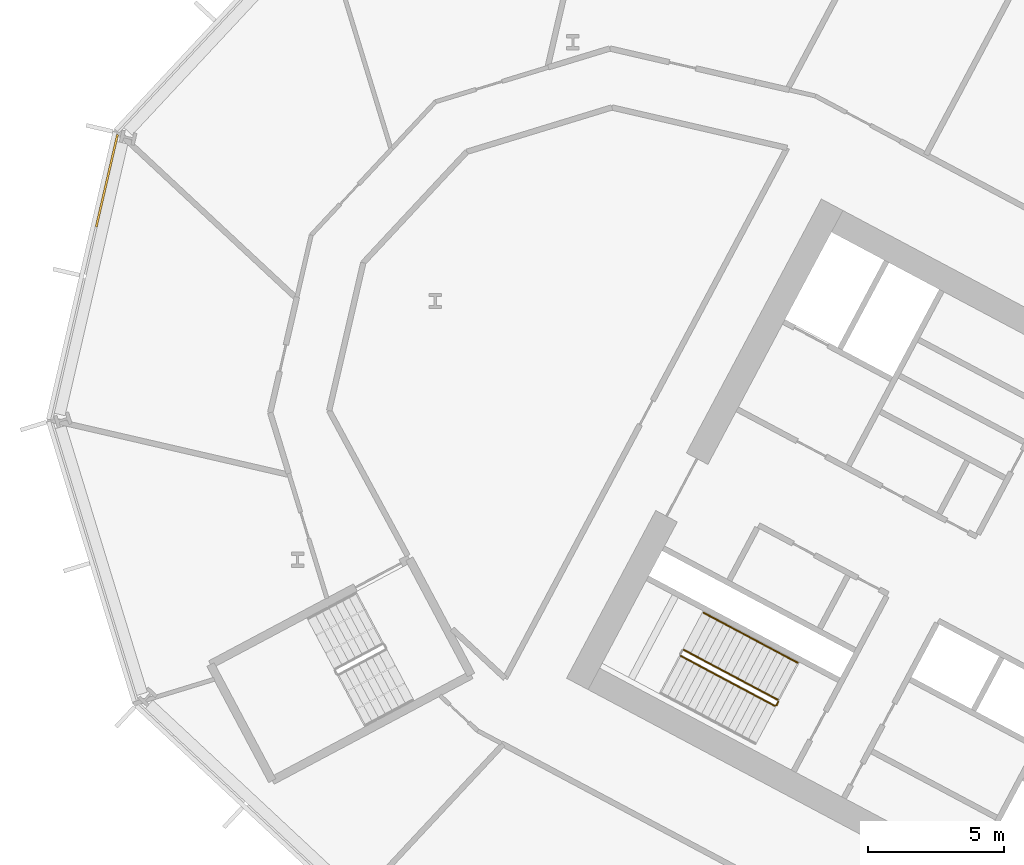
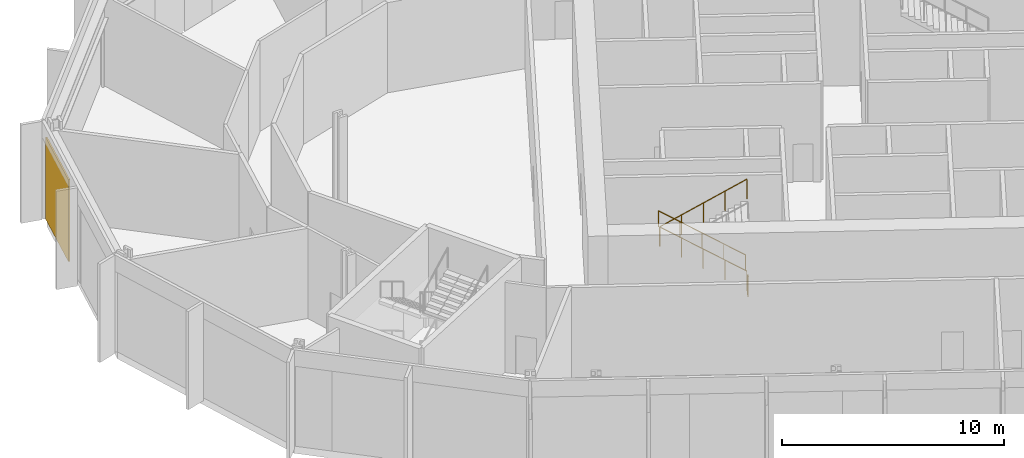
# One storey, part 23 of 32: 4 railings, 1 covering, 1 element without a shape of its own.
"""IFC4 building model written with IfcOpenShell, lengths in metres."""

from ifc_helpers import new_model, si_unit, direction, frame, origin, origin_2d, place, context, subcontext, project, spatial, polyline, rectangle, outline, extrude, material, layer, layer_set, type_object, element, aggregate, save


model = new_model("IFC4")

# Units and contexts
model_context = context("Model", 3, precision=1e-05, world=origin(), true_north=direction((0.0, 1.0)))
body_context = subcontext(model_context, "Body", "Model", "MODEL_VIEW")
ifc_project = project(units=[si_unit("LENGTHUNIT", "METRE"), si_unit("AREAUNIT", "SQUARE_METRE"), si_unit("VOLUMEUNIT", "CUBIC_METRE"), si_unit("PLANEANGLEUNIT", "RADIAN"), si_unit("MASSUNIT", "GRAM", prefix="KILO")], contexts=[model_context])

# Site, building, storey
site_placement = place(None, origin())
site = spatial("IfcSite", under=ifc_project, at=site_placement, CompositionType="ELEMENT")
building_placement = place(site_placement, origin())
building = spatial("IfcBuilding", under=site, at=building_placement, Name="Cormorant Relay Tower", CompositionType="ELEMENT")
storey_placement = place(building_placement, frame((0.0, 0.0, 17.60009765625)))
storey = spatial("IfcBuildingStorey", under=building, at=storey_placement, Name="L03", CompositionType="ELEMENT", Elevation=17.60009765625)

# Curtain wall, covering
ifc_material_1 = material(Name="Aluminium 6063-T6 anodised bronze", Category="aluminium")
ifc_layer_1 = layer(ifc_material_1, 0.235107421875)
ifc_layer_set_1 = layer_set([ifc_layer_1], Name="CW6 data hall curtain wall with mineral wool panels")
curtain_wall_type = type_object("IfcCurtainWallType", Name="CW6 data hall curtain wall with mineral wool panels", PredefinedType="NOTDEFINED", material=ifc_layer_set_1)
curtain_wall_placement = place(storey_placement, origin())
curtain_wall = element("IfcCurtainWall", 1, at=curtain_wall_placement, inside=storey, type_object=curtain_wall_type, Name="CW6 curtain wall 11", PredefinedType="NOTDEFINED")
ifc_material_2 = material(Name="Mineral wool cored anodised bronze aluminium cassette panel", Category="aluminium")
ifc_layer_2 = layer(ifc_material_2, 0.074951171875)
ifc_layer_set_2 = layer_set([ifc_layer_2], Name="CW6 mineral wool cassette panel 75")
covering_type = type_object("IfcCoveringType", Name="CW6 mineral wool cassette panel 75", PredefinedType="CLADDING", material=ifc_layer_set_2)
covering_placement = place(storey_placement, frame((-58.719970703125, 29.222412109375, 0.0), z_axis=(0.0, 0.0, 1.0), x_axis=(-0.224951054344, -0.974370064785, 0.0)))
covering = element("IfcCovering", 2, at=covering_placement, type_object=covering_type, Name="CW6 panel S00", PredefinedType="CLADDING", context=body_context, shape_type="SweptSolid", body=[
    extrude(rectangle(XDim=3.485107421875, YDim=0.074951171875, at=origin_2d()), origin(), (0.0, 0.0, 1.0), 4.5),
])
aggregate(curtain_wall, [covering])

# Railings
ifc_material_3 = material(Name="Steel ASTM A572 Grade 50 (Fy 345 MPa)", Category="steel")
railing_type_1 = type_object("IfcRailingType", Name="Stair guard 1100", PredefinedType="GUARDRAIL", material=ifc_material_3)
railing_1_placement = place(storey_placement, frame((-33.9921875, 10.08935546875, 0.179931640625)))
element("IfcRailing", 3, at=railing_1_placement, inside=storey, type_object=railing_type_1, Name="L03 A2 stair guard 1", PredefinedType="GUARDRAIL", context=body_context, shape_type="SweptSolid", body=[
    extrude(outline(polyline([(0.022216796875, 0.00927734375), (0.00927734375, 0.022216796875), (-0.00927734375, 0.022216796875), (-0.022216796875, 0.00927734375), (-0.022216796875, -0.00927734375), (-0.00927734375, -0.022216796875), (0.00927734375, -0.022216796875), (0.022216796875, -0.00927734375), (0.022216796875, 0.00927734375)])), frame((0.0, 0.0, 1.076171875), z_axis=(-0.74271721126, 0.394907409077, 0.540758062681), x_axis=(-0.469469396681, -0.882948744594, 0.0)), (0.0, 0.0, 1.0), 4.66015625),
    extrude(outline(polyline([(0.019287109375, 0.008056640625), (0.008056640625, 0.019287109375), (-0.008056640625, 0.019287109375), (-0.019287109375, 0.008056640625), (-0.019287109375, -0.008056640625), (-0.008056640625, -0.019287109375), (0.008056640625, -0.019287109375), (0.019287109375, -0.008056640625), (0.019287109375, 0.008056640625)])), origin(), (0.0, 0.0, 1.0), 1.052001953125),
    extrude(outline(polyline([(0.019287109375, 0.008056640625), (0.008056640625, 0.019287109375), (-0.008056640625, 0.019287109375), (-0.019287109375, 0.008056640625), (-0.019287109375, -0.008056640625), (-0.008056640625, -0.019287109375), (0.008056640625, -0.019287109375), (0.019287109375, -0.008056640625), (0.019287109375, 0.008056640625)])), frame((-0.865234375, 0.4599609375, 0.6298828125)), (0.0, 0.0, 1.0), 1.052001953125),
    extrude(outline(polyline([(0.019287109375, 0.008056640625), (0.008056640625, 0.019287109375), (-0.008056640625, 0.019287109375), (-0.019287109375, 0.008056640625), (-0.019287109375, -0.008056640625), (-0.008056640625, -0.019287109375), (0.008056640625, -0.019287109375), (0.019287109375, -0.008056640625), (0.019287109375, 0.008056640625)])), frame((-1.73046875, 0.920166015625, 1.260009765625)), (0.0, 0.0, 1.0), 1.052001953125),
    extrude(outline(polyline([(0.019287109375, 0.008056640625), (0.008056640625, 0.019287109375), (-0.008056640625, 0.019287109375), (-0.019287109375, 0.008056640625), (-0.019287109375, -0.008056640625), (-0.008056640625, -0.019287109375), (0.008056640625, -0.019287109375), (0.019287109375, -0.008056640625), (0.019287109375, 0.008056640625)])), frame((-2.595947265625, 1.38037109375, 1.89013671875)), (0.0, 0.0, 1.0), 1.052001953125),
    extrude(outline(polyline([(0.019287109375, 0.008056640625), (0.008056640625, 0.019287109375), (-0.008056640625, 0.019287109375), (-0.019287109375, 0.008056640625), (-0.019287109375, -0.008056640625), (-0.008056640625, -0.019287109375), (0.008056640625, -0.019287109375), (0.019287109375, -0.008056640625), (0.019287109375, 0.008056640625)])), frame((-3.461181640625, 1.84033203125, 2.52001953125)), (0.0, 0.0, 1.0), 1.052001953125),
])
railing_2_placement = place(storey_placement, frame((-37.57080078125, 11.708984375, 2.8798828125)))
element("IfcRailing", 4, at=railing_2_placement, inside=storey, type_object=railing_type_1, Name="L03 A2 stair guard 3", PredefinedType="GUARDRAIL", context=body_context, shape_type="SweptSolid", body=[
    extrude(outline(polyline([(0.022216796875, 0.00927734375), (0.00927734375, 0.022216796875), (-0.00927734375, 0.022216796875), (-0.022216796875, 0.00927734375), (-0.022216796875, -0.00927734375), (-0.00927734375, -0.022216796875), (0.00927734375, -0.022216796875), (0.022216796875, -0.00927734375), (0.022216796875, 0.00927734375)])), frame((0.0, 0.0, 1.076171875), z_axis=(0.74271721126, -0.394907409077, 0.540758062681), x_axis=(0.469469396681, 0.882948744594, 0.0)), (0.0, 0.0, 1.0), 4.66015625),
    extrude(outline(polyline([(0.019287109375, 0.008056640625), (0.008056640625, 0.019287109375), (-0.008056640625, 0.019287109375), (-0.019287109375, 0.008056640625), (-0.019287109375, -0.008056640625), (-0.008056640625, -0.019287109375), (0.008056640625, -0.019287109375), (0.019287109375, -0.008056640625), (0.019287109375, 0.008056640625)])), origin(), (0.0, 0.0, 1.0), 1.052001953125),
    extrude(outline(polyline([(0.019287109375, 0.008056640625), (0.008056640625, 0.019287109375), (-0.008056640625, 0.019287109375), (-0.019287109375, 0.008056640625), (-0.019287109375, -0.008056640625), (-0.008056640625, -0.019287109375), (0.008056640625, -0.019287109375), (0.019287109375, -0.008056640625), (0.019287109375, 0.008056640625)])), frame((0.865234375, -0.4599609375, 0.6298828125)), (0.0, 0.0, 1.0), 1.052001953125),
    extrude(outline(polyline([(0.019287109375, 0.008056640625), (0.008056640625, 0.019287109375), (-0.008056640625, 0.019287109375), (-0.019287109375, 0.008056640625), (-0.019287109375, -0.008056640625), (-0.008056640625, -0.019287109375), (0.008056640625, -0.019287109375), (0.019287109375, -0.008056640625), (0.019287109375, 0.008056640625)])), frame((1.73046875, -0.920166015625, 1.260009765625)), (0.0, 0.0, 1.0), 1.052001953125),
    extrude(outline(polyline([(0.019287109375, 0.008056640625), (0.008056640625, 0.019287109375), (-0.008056640625, 0.019287109375), (-0.019287109375, 0.008056640625), (-0.019287109375, -0.008056640625), (-0.008056640625, -0.019287109375), (0.008056640625, -0.019287109375), (0.019287109375, -0.008056640625), (0.019287109375, 0.008056640625)])), frame((2.595947265625, -1.38037109375, 1.89013671875)), (0.0, 0.0, 1.0), 1.052001953125),
    extrude(outline(polyline([(0.019287109375, 0.008056640625), (0.008056640625, 0.019287109375), (-0.008056640625, 0.019287109375), (-0.019287109375, 0.008056640625), (-0.019287109375, -0.008056640625), (-0.008056640625, -0.019287109375), (0.008056640625, -0.019287109375), (0.019287109375, -0.008056640625), (0.019287109375, 0.008056640625)])), frame((3.461181640625, -1.84033203125, 2.52001953125)), (0.0, 0.0, 1.0), 1.052001953125),
])
railing_3_placement = place(storey_placement, frame((-33.971435546875, 10.021728515625, 0.0)))
element("IfcRailing", 5, at=railing_3_placement, inside=storey, type_object=railing_type_1, Name="L03 A2 stair guard 4", PredefinedType="GUARDRAIL", context=body_context, shape_type="SweptSolid", body=[
    extrude(outline(polyline([(0.022216796875, 0.00927734375), (0.00927734375, 0.022216796875), (-0.00927734375, 0.022216796875), (-0.022216796875, 0.00927734375), (-0.022216796875, -0.00927734375), (-0.00927734375, -0.022216796875), (0.00927734375, -0.022216796875), (0.022216796875, -0.00927734375), (0.022216796875, 0.00927734375)])), frame((0.0, 0.0, 1.076171875), z_axis=(-0.470503732759, -0.882398003998, 0.0), x_axis=(0.882398003998, -0.470503732759, 0.0)), (0.0, 0.0, 1.0), 0.14990234375),
    extrude(outline(polyline([(0.019287109375, 0.008056640625), (0.008056640625, 0.019287109375), (-0.008056640625, 0.019287109375), (-0.019287109375, 0.008056640625), (-0.019287109375, -0.008056640625), (-0.008056640625, -0.019287109375), (0.008056640625, -0.019287109375), (0.019287109375, -0.008056640625), (0.019287109375, 0.008056640625)])), origin(), (0.0, 0.0, 1.0), 1.052001953125),
    extrude(outline(polyline([(0.019287109375, 0.008056640625), (0.008056640625, 0.019287109375), (-0.008056640625, 0.019287109375), (-0.019287109375, 0.008056640625), (-0.019287109375, -0.008056640625), (-0.008056640625, -0.019287109375), (0.008056640625, -0.019287109375), (0.019287109375, -0.008056640625), (0.019287109375, 0.008056640625)])), frame((-0.070556640625, -0.13232421875, 0.0)), (0.0, 0.0, 1.0), 1.052001953125),
])
ifc_material_4 = material(Name="Steel ASTM A572 Grade 50 (Fy 345 MPa)", Category="steel")
railing_type_2 = type_object("IfcRailingType", Name="Stair handrail 900", PredefinedType="HANDRAIL", material=ifc_material_4)
railing_4_placement = place(storey_placement, frame((-33.264404296875, 11.4580078125, 0.179931640625)))
element("IfcRailing", 6, at=railing_4_placement, inside=storey, type_object=railing_type_2, Name="L03 A2 stair handrail 1", PredefinedType="HANDRAIL", context=body_context, shape_type="SweptSolid", body=[
    extrude(outline(polyline([(0.022216796875, 0.00927734375), (0.00927734375, 0.022216796875), (-0.00927734375, 0.022216796875), (-0.022216796875, 0.00927734375), (-0.022216796875, -0.00927734375), (-0.00927734375, -0.022216796875), (0.00927734375, -0.022216796875), (0.022216796875, -0.00927734375), (0.022216796875, 0.00927734375)])), frame((0.0, 0.0, 0.8759765625), z_axis=(-0.74271721126, 0.394907409077, 0.540758062681), x_axis=(-0.469469396681, -0.882948744594, 0.0)), (0.0, 0.0, 1.0), 4.66015625),
    extrude(outline(polyline([(0.019287109375, 0.008056640625), (0.008056640625, 0.019287109375), (-0.008056640625, 0.019287109375), (-0.019287109375, 0.008056640625), (-0.019287109375, -0.008056640625), (-0.008056640625, -0.019287109375), (0.008056640625, -0.019287109375), (0.019287109375, -0.008056640625), (0.019287109375, 0.008056640625)])), origin(), (0.0, 0.0, 1.0), 0.851806640625),
    extrude(outline(polyline([(0.019287109375, 0.008056640625), (0.008056640625, 0.019287109375), (-0.008056640625, 0.019287109375), (-0.019287109375, 0.008056640625), (-0.019287109375, -0.008056640625), (-0.008056640625, -0.019287109375), (0.008056640625, -0.019287109375), (0.019287109375, -0.008056640625), (0.019287109375, 0.008056640625)])), frame((-0.865234375, 0.4599609375, 0.6298828125)), (0.0, 0.0, 1.0), 0.851806640625),
    extrude(outline(polyline([(0.019287109375, 0.008056640625), (0.008056640625, 0.019287109375), (-0.008056640625, 0.019287109375), (-0.019287109375, 0.008056640625), (-0.019287109375, -0.008056640625), (-0.008056640625, -0.019287109375), (0.008056640625, -0.019287109375), (0.019287109375, -0.008056640625), (0.019287109375, 0.008056640625)])), frame((-1.73046875, 0.920166015625, 1.260009765625)), (0.0, 0.0, 1.0), 0.851806640625),
    extrude(outline(polyline([(0.019287109375, 0.008056640625), (0.008056640625, 0.019287109375), (-0.008056640625, 0.019287109375), (-0.019287109375, 0.008056640625), (-0.019287109375, -0.008056640625), (-0.008056640625, -0.019287109375), (0.008056640625, -0.019287109375), (0.019287109375, -0.008056640625), (0.019287109375, 0.008056640625)])), frame((-2.595947265625, 1.38037109375, 1.89013671875)), (0.0, 0.0, 1.0), 0.851806640625),
    extrude(outline(polyline([(0.019287109375, 0.008056640625), (0.008056640625, 0.019287109375), (-0.008056640625, 0.019287109375), (-0.019287109375, 0.008056640625), (-0.019287109375, -0.008056640625), (-0.008056640625, -0.019287109375), (0.008056640625, -0.019287109375), (0.019287109375, -0.008056640625), (0.019287109375, 0.008056640625)])), frame((-3.461181640625, 1.84033203125, 2.52001953125)), (0.0, 0.0, 1.0), 0.851806640625),
])

save(model, "model.ifc")
